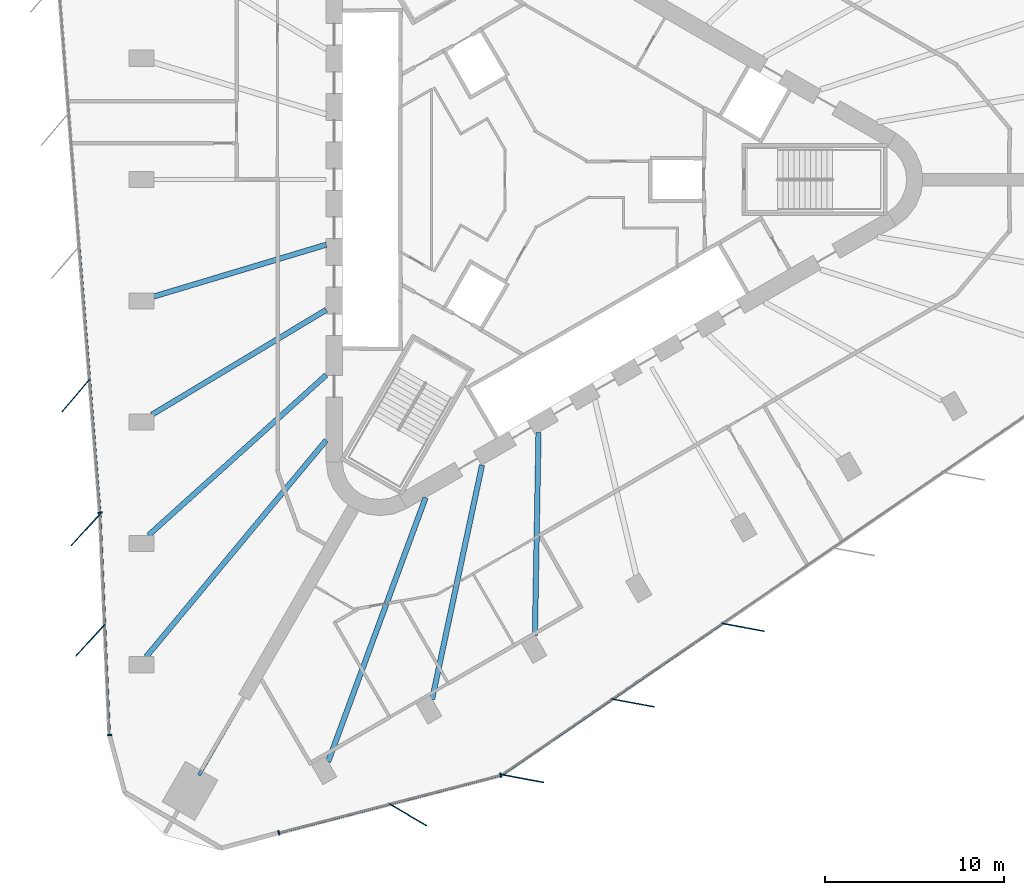
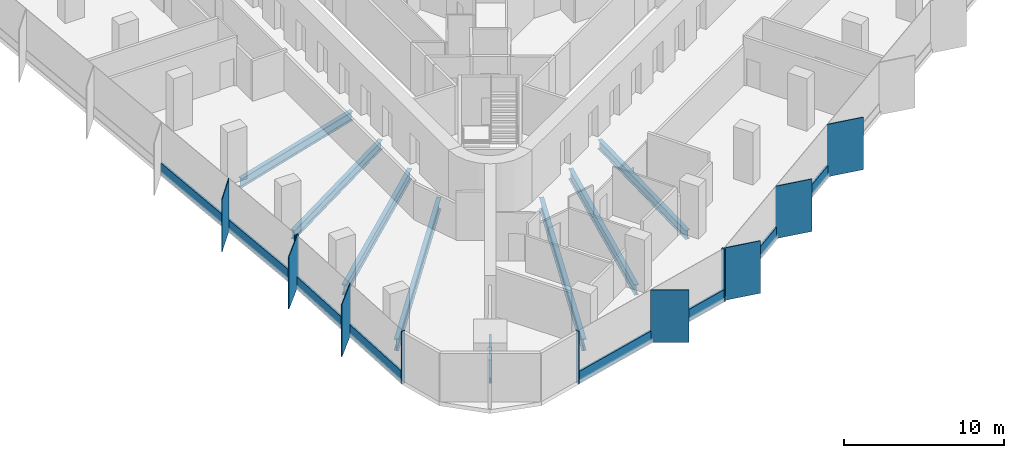
# One storey, part 2 of 13: 19 members, 8 beams, 4 elements without a shape of their own.
"""IFC4 building model written with IfcOpenShell, lengths in metres."""

from ifc_helpers import new_model, si_unit, direction, frame, origin, origin_2d, place, context, subcontext, project, spatial, rectangle, i_section, extrude, material, material_profile, profile_set, type_object, element, aggregate, save


model = new_model("IFC4")

# Units and contexts
model_context = context("Model", 3, precision=1e-05, world=origin(), true_north=direction((0.0, 1.0)))
body_context = subcontext(model_context, "Body", "Model", "MODEL_VIEW")
ifc_project = project(units=[si_unit("LENGTHUNIT", "METRE"), si_unit("AREAUNIT", "SQUARE_METRE"), si_unit("VOLUMEUNIT", "CUBIC_METRE"), si_unit("PLANEANGLEUNIT", "RADIAN"), si_unit("MASSUNIT", "GRAM", prefix="KILO")], contexts=[model_context])

# Site, building, storey
site_placement = place(None, origin())
site = spatial("IfcSite", under=ifc_project, at=site_placement, CompositionType="ELEMENT")
building_placement = place(site_placement, origin())
building = spatial("IfcBuilding", under=site, at=building_placement, Name="Tanit Gate Tower", CompositionType="ELEMENT")
storey_placement = place(building_placement, frame((0.0, 0.0, 181.199951171875)))
storey = spatial("IfcBuildingStorey", under=building, at=storey_placement, Name="L39", CompositionType="ELEMENT", Elevation=181.199951171875)

# Curtain wall, member
ifc_material_1 = material(Name="Aluminium bronze anodised and glass", Category="aluminium")
curtain_wall_type = type_object("IfcCurtainWallType", Name="Curtain wall typical mid", PredefinedType="NOTDEFINED", material=ifc_material_1)
curtain_wall_1_placement = place(storey_placement, origin())
curtain_wall_1 = element("IfcCurtainWall", 1, at=curtain_wall_1_placement, inside=storey, type_object=curtain_wall_type, Name="Curtain wall L39 W2", PredefinedType="NOTDEFINED")
ifc_material_2 = material(Name="Aluminium bronze anodised", Category="aluminium")
ifc_material_profile_1 = material_profile(ifc_material_2, rectangle(XDim=2.39990234375, YDim=0.055908203125, at=origin_2d()), Name="56x2400 bronze fin mullion")
ifc_profile_set_1 = profile_set([ifc_material_profile_1], Name="Aluminium bronze anodised")
member_type_1 = type_object("IfcMemberType", Name="FIN MULLION 56x2400 bronze", PredefinedType="MULLION", material=ifc_profile_set_1)
member_1_placement = place(storey_placement, frame((-26.070068359375, -12.05322265625, -0.300048828125), z_axis=(0.0, 0.0, 1.0), x_axis=(0.650025975428, 0.75991198916, 0.0)))
member_1 = element("IfcMember", 2, at=member_1_placement, type_object=member_type_1, Name="Fin mullion L39 W2.5", PredefinedType="MULLION", context=body_context, shape_type="SweptSolid", body=[
    extrude(rectangle(XDim=2.39990234375, YDim=0.055908203125, at=origin_2d()), origin(), (0.0, 0.0, 1.0), 4.0),
])

# Curtain wall, members
curtain_wall_2_placement = place(storey_placement, origin())
curtain_wall_2 = element("IfcCurtainWall", 3, at=curtain_wall_2_placement, inside=storey, type_object=curtain_wall_type, Name="Curtain wall L39 W3", PredefinedType="NOTDEFINED")
member_2_placement = place(storey_placement, frame((-25.516845703125, -19.542236328125, -0.300048828125), z_axis=(0.0, 0.0, 1.0), x_axis=(0.67655835187, 0.736389025254, 0.0)))
member_2 = element("IfcMember", 4, at=member_2_placement, type_object=member_type_1, Name="Fin mullion L39 W3.1", PredefinedType="MULLION", context=body_context, shape_type="SweptSolid", body=[
    extrude(rectangle(XDim=2.39990234375, YDim=0.055908203125, at=origin_2d()), origin(), (0.0, 0.0, 1.0), 4.0),
])
member_3_placement = place(storey_placement, frame((-25.255859375, -25.71044921875, -0.300048828125), z_axis=(0.0, 0.0, 1.0), x_axis=(0.67655835187, 0.736389025254, 0.0)))
member_3 = element("IfcMember", 5, at=member_3_placement, type_object=member_type_1, Name="Fin mullion L39 W3.2", PredefinedType="MULLION", context=body_context, shape_type="SweptSolid", body=[
    extrude(rectangle(XDim=2.39990234375, YDim=0.055908203125, at=origin_2d()), origin(), (0.0, 0.0, 1.0), 4.0),
])

# Curtain wall, member
curtain_wall_3_placement = place(storey_placement, origin())
curtain_wall_3 = element("IfcCurtainWall", 6, at=curtain_wall_3_placement, inside=storey, type_object=curtain_wall_type, Name="Curtain wall L39 SE1", PredefinedType="NOTDEFINED")
member_4_placement = place(storey_placement, frame((-7.5341796875, -35.45458984375, -0.300048828125), z_axis=(0.0, 0.0, 1.0), x_axis=(-0.862180059839, 0.506601958559, 0.0)))
member_4 = element("IfcMember", 7, at=member_4_placement, type_object=member_type_1, Name="Fin mullion L39 SE1.2", PredefinedType="MULLION", context=body_context, shape_type="SweptSolid", body=[
    extrude(rectangle(XDim=2.39990234375, YDim=0.055908203125, at=origin_2d()), origin(), (0.0, 0.0, 1.0), 4.0),
])

# Curtain wall, members
curtain_wall_4_placement = place(storey_placement, origin())
curtain_wall_4 = element("IfcCurtainWall", 8, at=curtain_wall_4_placement, inside=storey, type_object=curtain_wall_type, Name="Curtain wall L39 SE2", PredefinedType="NOTDEFINED")
member_5_placement = place(storey_placement, frame((-1.12939453125, -33.43212890625, -0.300048828125), z_axis=(0.0, 0.0, 1.0), x_axis=(-0.983116074967, 0.182983013261, 0.0)))
member_5 = element("IfcMember", 9, at=member_5_placement, type_object=member_type_1, Name="Fin mullion L39 SE2.1", PredefinedType="MULLION", context=body_context, shape_type="SweptSolid", body=[
    extrude(rectangle(XDim=2.39990234375, YDim=0.055908203125, at=origin_2d()), origin(), (0.0, 0.0, 1.0), 4.0),
])
member_6_placement = place(storey_placement, frame((5.021484375, -29.2119140625, -0.300048828125), z_axis=(0.0, 0.0, 1.0), x_axis=(-0.983116074967, 0.182983013261, 0.0)))
member_6 = element("IfcMember", 10, at=member_6_placement, type_object=member_type_1, Name="Fin mullion L39 SE2.2", PredefinedType="MULLION", context=body_context, shape_type="SweptSolid", body=[
    extrude(rectangle(XDim=2.39990234375, YDim=0.055908203125, at=origin_2d()), origin(), (0.0, 0.0, 1.0), 4.0),
])
member_7_placement = place(storey_placement, frame((11.172119140625, -24.991455078125, -0.300048828125), z_axis=(0.0, 0.0, 1.0), x_axis=(-0.983116074967, 0.182983013261, 0.0)))
member_7 = element("IfcMember", 11, at=member_7_placement, type_object=member_type_1, Name="Fin mullion L39 SE2.3", PredefinedType="MULLION", context=body_context, shape_type="SweptSolid", body=[
    extrude(rectangle(XDim=2.39990234375, YDim=0.055908203125, at=origin_2d()), origin(), (0.0, 0.0, 1.0), 4.0),
])

# Member
ifc_material_3 = material(Name="Aluminium bronze anodised", Category="aluminium")
ifc_material_profile_2 = material_profile(ifc_material_3, rectangle(XDim=0.260009765625, YDim=0.080078125, at=origin_2d()), Name="80x260 bronze mullion")
ifc_profile_set_2 = profile_set([ifc_material_profile_2], Name="Aluminium bronze anodised")
member_type_2 = type_object("IfcMemberType", Name="Mullion 80x260 typical mid", PredefinedType="MULLION", material=ifc_profile_set_2)
member_8_placement = place(storey_placement, frame((-24.72412109375, -18.59423828125, -0.300048828125), z_axis=(0.0, 0.0, 1.0), x_axis=(0.996976695812, 0.077701145467, 0.0)))
member_8 = element("IfcMember", 12, at=member_8_placement, type_object=member_type_2, Name="Mullion L39 W2.6", PredefinedType="MULLION", context=body_context, shape_type="SweptSolid", body=[
    extrude(rectangle(XDim=0.260009765625, YDim=0.080078125, at=origin_2d()), origin(), (0.0, 0.0, 1.0), 4.0),
])

member_9_placement = place(storey_placement, frame((-24.197021484375, -31.0107421875, -0.300048828125), z_axis=(0.0, 0.0, 1.0), x_axis=(0.999104671824, 0.042306674873, 0.0)))
member_9 = element("IfcMember", 13, at=member_9_placement, type_object=member_type_2, Name="Mullion L39 W3.3", PredefinedType="MULLION", context=body_context, shape_type="SweptSolid", body=[
    extrude(rectangle(XDim=0.260009765625, YDim=0.080078125, at=origin_2d()), origin(), (0.0, 0.0, 1.0), 4.0),
])

member_10_placement = place(storey_placement, frame((-14.7412109375, -36.465576171875, -0.300048828125), z_axis=(0.0, 0.0, 1.0), x_axis=(-0.251431686657, 0.967875047175, 0.0)))
member_10 = element("IfcMember", 14, at=member_10_placement, type_object=member_type_2, Name="Mullion L39 SE1.1", PredefinedType="MULLION", context=body_context, shape_type="SweptSolid", body=[
    extrude(rectangle(XDim=0.260009765625, YDim=0.080078125, at=origin_2d()), origin(), (0.0, 0.0, 1.0), 4.0),
])

member_11_placement = place(storey_placement, frame((-2.35986328125, -33.249267578125, -0.300048828125), z_axis=(0.0, 0.0, 1.0), x_axis=(-0.251431686657, 0.967875047175, 0.0)))
member_11 = element("IfcMember", 15, at=member_11_placement, type_object=member_type_2, Name="Mullion L39 SE1.3", PredefinedType="MULLION", context=body_context, shape_type="SweptSolid", body=[
    extrude(rectangle(XDim=0.260009765625, YDim=0.080078125, at=origin_2d()), origin(), (0.0, 0.0, 1.0), 4.0),
])

# Beams
ifc_material_4 = material(Name="Steel S355", Category="steel")
ifc_material_profile_3 = material_profile(ifc_material_4, i_section(OverallWidth=0.300048828125, OverallDepth=0.68994140625, WebThickness=0.014404296875, FlangeThickness=0.027099609375, FilletRadius=0.027099609375, at=origin_2d()), Name="HEA 700")
ifc_profile_set_3 = profile_set([ifc_material_profile_3], Name="Steel S355")
beam_type_1 = type_object("IfcBeamType", Name="RADIAL GIRDER HEA 700 S355", PredefinedType="BEAM", material=ifc_profile_set_3)
beam_1_placement = place(storey_placement, frame((-21.823486328125, -6.560546875, -0.64501953125), z_axis=(0.957665283908, 0.287884011361, 0.0), x_axis=(-0.287884011361, 0.957665283908, 0.0)))
element("IfcBeam", 16, at=beam_1_placement, inside=storey, type_object=beam_type_1, Name="RADIAL GIRDER", PredefinedType="BEAM", context=body_context, shape_type="SweptSolid", body=[
    extrude(i_section(OverallWidth=0.300048828125, OverallDepth=0.68994140625, WebThickness=0.014404296875, FlangeThickness=0.027099609375, FilletRadius=0.027099609375, at=origin_2d()), origin(), (0.0, 0.0, 1.0), 10.151123046875),
])
for number, where, z_axis, x_axis, name in (
    (17, (-21.823486328125, -13.12109375, -0.64501953125), (0.857021594062, 0.51528049382, 0.0), (-0.51528049382, 0.857021594062, 0.0), "RADIAL GIRDER"),
    (18, (-0.451416015625, -25.460205078125, -0.64501953125), (0.017734805859, 0.999842725963, 0.0), (-0.999842725963, 0.017734805859, 0.0), "RADIAL GIRDER"),
):
    element("IfcBeam", number, at=place(storey_placement, frame(where, z_axis=z_axis, x_axis=x_axis)), inside=storey, type_object=beam_type_1, Name=name, PredefinedType="BEAM", context=body_context, shape_type="SweptSolid", body=[
        extrude(i_section(OverallWidth=0.300048828125, OverallDepth=0.68994140625, WebThickness=0.014404296875, FlangeThickness=0.027099609375, FilletRadius=0.027099609375, at=origin_2d()), origin(), (0.0, 0.0, 1.0), 11.34326171875),
    ])
ifc_material_5 = material(Name="Steel S355", Category="steel")
ifc_material_profile_4 = material_profile(ifc_material_5, i_section(OverallWidth=0.300048828125, OverallDepth=0.7900390625, WebThickness=0.014892578125, FlangeThickness=0.028076171875, FilletRadius=0.030029296875, at=origin_2d()), Name="HEA 800")
ifc_profile_set_4 = profile_set([ifc_material_profile_4], Name="Steel S355")
beam_type_2 = type_object("IfcBeamType", Name="RADIAL GIRDER HEA 800 S355", PredefinedType="BEAM", material=ifc_profile_set_4)
beam_2_placement = place(storey_placement, frame((-22.024658203125, -19.86279296875, -0.695068359375), z_axis=(0.742618722564, 0.669714441309, 0.0), x_axis=(-0.669714441309, 0.742618722564, 0.0)))
element("IfcBeam", 19, at=beam_2_placement, inside=storey, type_object=beam_type_2, Name="RADIAL GIRDER", PredefinedType="BEAM", context=body_context, shape_type="SweptSolid", body=[
    extrude(i_section(OverallWidth=0.300048828125, OverallDepth=0.7900390625, WebThickness=0.014892578125, FlangeThickness=0.028076171875, FilletRadius=0.030029296875, at=origin_2d()), origin(), (0.0, 0.0, 1.0), 13.361572265625),
])
beam_3_placement = place(storey_placement, frame((-6.189453125, -29.00537109375, -0.695068359375), z_axis=(0.208696725108, 0.977980407232, 0.0), x_axis=(-0.977980407232, 0.208696725108, 0.0)))
element("IfcBeam", 20, at=beam_3_placement, inside=storey, type_object=beam_type_2, Name="RADIAL GIRDER", PredefinedType="BEAM", context=body_context, shape_type="SweptSolid", body=[
    extrude(i_section(OverallWidth=0.300048828125, OverallDepth=0.7900390625, WebThickness=0.014892578125, FlangeThickness=0.028076171875, FilletRadius=0.030029296875, at=origin_2d()), origin(), (0.0, 0.0, 1.0), 13.36181640625),
])
ifc_material_6 = material(Name="Steel S355", Category="steel")
ifc_material_profile_5 = material_profile(ifc_material_6, i_section(OverallWidth=0.300048828125, OverallDepth=0.889892578125, WebThickness=0.01611328125, FlangeThickness=0.030029296875, FilletRadius=0.030029296875, at=origin_2d()), Name="HEA 900")
ifc_profile_set_5 = profile_set([ifc_material_profile_5], Name="Steel S355")
beam_type_3 = type_object("IfcBeamType", Name="RADIAL GIRDER HEA 900 S355", PredefinedType="BEAM", material=ifc_profile_set_5)
for number, where, z_axis, x_axis, name in (
    (21, (-22.1494140625, -26.6337890625, -0.744873046875), (0.639410789887, 0.768865294949, 0.0), (-0.768865294949, 0.639410789887, 0.0), "RADIAL GIRDER"),
    (22, (-11.990966796875, -32.498779296875, -0.744873046875), (0.346151727989, 0.93817854442, 0.0), (-0.93817854442, 0.346151727989, 0.0), "RADIAL GIRDER"),
):
    element("IfcBeam", number, at=place(storey_placement, frame(where, z_axis=z_axis, x_axis=x_axis)), inside=storey, type_object=beam_type_3, Name=name, PredefinedType="BEAM", context=body_context, shape_type="SweptSolid", body=[
        extrude(i_section(OverallWidth=0.300048828125, OverallDepth=0.889892578125, WebThickness=0.01611328125, FlangeThickness=0.030029296875, FilletRadius=0.030029296875, at=origin_2d()), origin(), (0.0, 0.0, 1.0), 15.71337890625),
    ])
ifc_material_7 = material(Name="Steel S355", Category="steel")
ifc_material_profile_6 = material_profile(ifc_material_7, i_section(OverallWidth=0.179931640625, OverallDepth=0.39990234375, WebThickness=0.008544921875, FlangeThickness=0.013427734375, FilletRadius=0.02099609375, at=origin_2d()), Name="IPE 400")
ifc_profile_set_6 = profile_set([ifc_material_profile_6], Name="Steel S355")
beam_type_4 = type_object("IfcBeamType", Name="RADIAL GIRDER IPE 400 S355", PredefinedType="BEAM", material=ifc_profile_set_6)
beam_4_placement = place(storey_placement, frame((-19.198974609375, -33.253662109375, -0.5), z_axis=(0.500010649093, 0.866019255441, 0.0), x_axis=(-0.866019255441, 0.500010649093, 0.0)))
element("IfcBeam", 23, at=beam_4_placement, inside=storey, type_object=beam_type_4, Name="RADIAL GIRDER", PredefinedType="BEAM", context=body_context, shape_type="SweptSolid", body=[
    extrude(i_section(OverallWidth=0.179931640625, OverallDepth=0.39990234375, WebThickness=0.008544921875, FlangeThickness=0.013427734375, FilletRadius=0.02099609375, at=origin_2d()), origin(), (0.0, 0.0, 1.0), 4.8154296875),
])

# Member
ifc_material_8 = material(Name="Aluminium bronze anodised", Category="aluminium")
ifc_material_profile_7 = material_profile(ifc_material_8, rectangle(XDim=0.139892578125, YDim=0.89990234375, at=origin_2d()), Name="140x900 bronze transom")
ifc_profile_set_7 = profile_set([ifc_material_profile_7], Name="Aluminium bronze anodised")
member_type_3 = type_object("IfcMemberType", Name="Transom 140x900 typical mid", PredefinedType="USERDEFINED", material=ifc_profile_set_7)
member_12_placement = place(storey_placement, frame((-25.88037109375, -3.760498046875, 0.150146484375), z_axis=(0.077713489247, -0.996975733701, 0.0), x_axis=(0.996975733701, 0.077713489247, 0.0)))
member_12 = element("IfcMember", 24, at=member_12_placement, type_object=member_type_3, Name="Transom L39 W2.4", ObjectType="TRANSOM", PredefinedType="USERDEFINED", context=body_context, shape_type="SweptSolid", body=[
    extrude(rectangle(XDim=0.139892578125, YDim=0.89990234375, at=origin_2d()), origin(), (0.0, 0.0, 1.0), 7.37939453125),
])

member_13_placement = place(storey_placement, frame((-25.30078125, -11.197509765625, 0.150146484375), z_axis=(0.077716052602, -0.996975533886, 0.0), x_axis=(0.996975533886, 0.077716052602, 0.0)))
member_13 = element("IfcMember", 25, at=member_13_placement, type_object=member_type_3, Name="Transom L39 W2.5", ObjectType="TRANSOM", PredefinedType="USERDEFINED", context=body_context, shape_type="SweptSolid", body=[
    extrude(rectangle(XDim=0.139892578125, YDim=0.89990234375, at=origin_2d()), origin(), (0.0, 0.0, 1.0), 7.379150390625),
])

aggregate(curtain_wall_1, [member_1, member_8, member_12, member_13])

member_14_placement = place(storey_placement, frame((-24.7177734375, -18.714111328125, 0.150146484375), z_axis=(0.042307102187, -0.99910465373, 0.0), x_axis=(0.99910465373, 0.042307102187, 0.0)))
member_14 = element("IfcMember", 26, at=member_14_placement, type_object=member_type_3, Name="Transom L39 W3.1", ObjectType="TRANSOM", PredefinedType="USERDEFINED", context=body_context, shape_type="SweptSolid", body=[
    extrude(rectangle(XDim=0.139892578125, YDim=0.89990234375, at=origin_2d()), origin(), (0.0, 0.0, 1.0), 6.09375),
])

member_15_placement = place(storey_placement, frame((-24.45654296875, -24.88232421875, 0.150146484375), z_axis=(0.042307102187, -0.99910465373, 0.0), x_axis=(0.99910465373, 0.042307102187, 0.0)))
member_15 = element("IfcMember", 27, at=member_15_placement, type_object=member_type_3, Name="Transom L39 W3.2", ObjectType="TRANSOM", PredefinedType="USERDEFINED", context=body_context, shape_type="SweptSolid", body=[
    extrude(rectangle(XDim=0.139892578125, YDim=0.89990234375, at=origin_2d()), origin(), (0.0, 0.0, 1.0), 6.09375),
])

aggregate(curtain_wall_2, [member_2, member_3, member_9, member_14, member_15])

member_16_placement = place(storey_placement, frame((-14.702392578125, -36.45556640625, 0.150146484375), z_axis=(0.967873319689, 0.251438336445, 0.0), x_axis=(-0.251438336445, 0.967873319689, 0.0)))
member_16 = element("IfcMember", 28, at=member_16_placement, type_object=member_type_3, Name="Transom L39 SE1.1", ObjectType="TRANSOM", PredefinedType="USERDEFINED", context=body_context, shape_type="SweptSolid", body=[
    extrude(rectangle(XDim=0.139892578125, YDim=0.89990234375, at=origin_2d()), origin(), (0.0, 0.0, 1.0), 6.316162109375),
])

member_17_placement = place(storey_placement, frame((-8.51171875, -34.847412109375, 0.150146484375), z_axis=(0.967870875856, 0.251447743418, 0.0), x_axis=(-0.251447743418, 0.967870875856, 0.0)))
member_17 = element("IfcMember", 29, at=member_17_placement, type_object=member_type_3, Name="Transom L39 SE1.2", ObjectType="TRANSOM", PredefinedType="USERDEFINED", context=body_context, shape_type="SweptSolid", body=[
    extrude(rectangle(XDim=0.139892578125, YDim=0.89990234375, at=origin_2d()), origin(), (0.0, 0.0, 1.0), 6.31591796875),
])

aggregate(curtain_wall_3, [member_10, member_4, member_11, member_16, member_17])

member_18_placement = place(storey_placement, frame((-2.255126953125, -33.19384765625, 0.150146484375), z_axis=(0.824559958411, 0.565774579657, 0.0), x_axis=(-0.565774579657, 0.824559958411, 0.0)))
member_18 = element("IfcMember", 30, at=member_18_placement, type_object=member_type_3, Name="Transom L39 SE2.1", ObjectType="TRANSOM", PredefinedType="USERDEFINED", context=body_context, shape_type="SweptSolid", body=[
    extrude(rectangle(XDim=0.139892578125, YDim=0.89990234375, at=origin_2d()), origin(), (0.0, 0.0, 1.0), 7.37939453125),
])

member_19_placement = place(storey_placement, frame((3.8955078125, -28.973388671875, 0.150146484375), z_axis=(0.824559958411, 0.565774579657, 0.0), x_axis=(-0.565774579657, 0.824559958411, 0.0)))
member_19 = element("IfcMember", 31, at=member_19_placement, type_object=member_type_3, Name="Transom L39 SE2.2", ObjectType="TRANSOM", PredefinedType="USERDEFINED", context=body_context, shape_type="SweptSolid", body=[
    extrude(rectangle(XDim=0.139892578125, YDim=0.89990234375, at=origin_2d()), origin(), (0.0, 0.0, 1.0), 7.37939453125),
])

aggregate(curtain_wall_4, [member_5, member_6, member_7, member_18, member_19])

save(model, "model.ifc")
